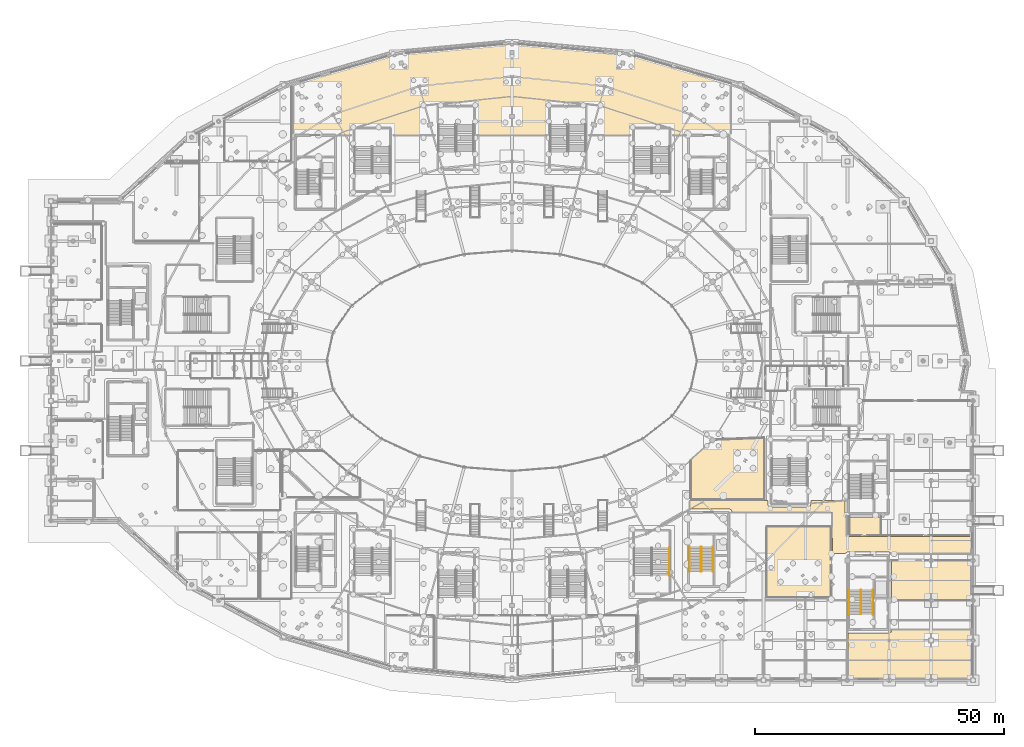
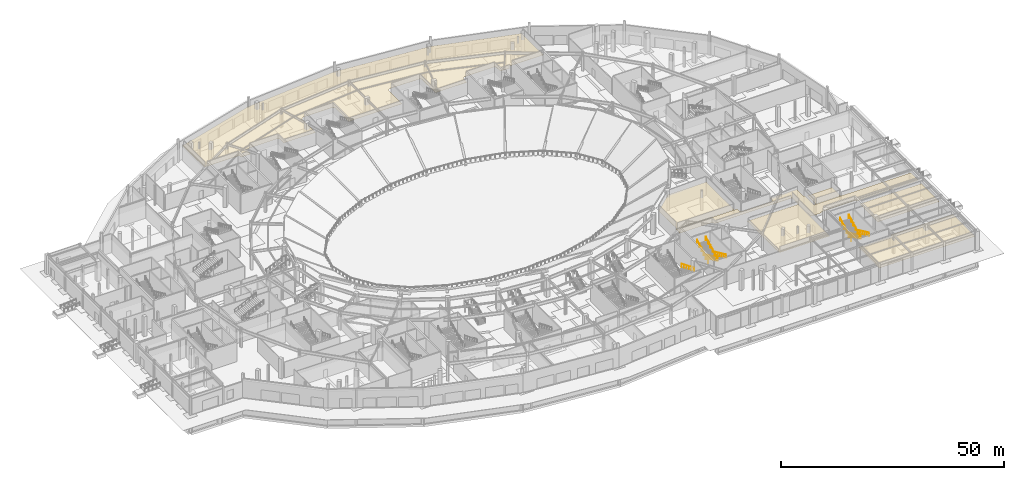
# One storey, part 84 of 93: 9 railings, 7 coverings.
"""IFC4 building model written with IfcOpenShell, lengths in metres."""

from ifc_helpers import new_model, si_unit, direction, frame, origin, origin_2d, place, context, subcontext, project, spatial, polyline, circle, outline, extrude, material, layer, layer_set, type_object, element, save


model = new_model("IFC4")

# Units and contexts
model_context = context("Model", 3, precision=1e-05, world=origin(), true_north=direction((0.0, 1.0)))
body_context = subcontext(model_context, "Body", "Model", "MODEL_VIEW")
ifc_project = project(units=[si_unit("LENGTHUNIT", "METRE"), si_unit("AREAUNIT", "SQUARE_METRE"), si_unit("VOLUMEUNIT", "CUBIC_METRE"), si_unit("PLANEANGLEUNIT", "RADIAN"), si_unit("MASSUNIT", "GRAM", prefix="KILO")], contexts=[model_context])

# Site, building, storey
site_placement = place(None, origin())
site = spatial("IfcSite", under=ifc_project, at=site_placement, CompositionType="ELEMENT")
building_placement = place(site_placement, origin())
building = spatial("IfcBuilding", under=site, at=building_placement, Name="Kalgoora Escarpment Arena", CompositionType="ELEMENT")
storey_placement = place(building_placement, origin())
storey = spatial("IfcBuildingStorey", under=building, at=storey_placement, Name="L00", CompositionType="ELEMENT", Elevation=0.0)

# Coverings
ifc_material_1 = material(Name="Perforated acoustic mineral-fibre ceiling tile")
ifc_layer = layer(ifc_material_1, 0.02490234375)
ifc_layer_set = layer_set([ifc_layer], Name="COV-CEIL-ACOUSTIC")
covering_type = type_object("IfcCoveringType", Name="COV-CEIL-ACOUSTIC", PredefinedType="CEILING", material=ifc_layer_set)
covering_1_placement = place(storey_placement, frame((0.0, 0.0, 3.47998046875)))
element("IfcCovering", 1, at=covering_1_placement, inside=storey, type_object=covering_type, Name="L00 Practice Court acoustic suspended ceiling", PredefinedType="CEILING", context=body_context, shape_type="SweptSolid", body=[
    extrude(outline(polyline([(128.16064453125, 44.204345703125), (132.692138671875, 48.216064453125), (132.966064453125, 48.63818359375), (143.018798828125, 48.63525390625), (143.035400390625, 36.18115234375), (128.18115234375, 36.164794921875), (128.16064453125, 44.204345703125)])), origin(), (0.0, 0.0, 1.0), 0.02490234375),
])
covering_2_placement = place(storey_placement, frame((0.0, 0.0, 3.47998046875)))
element("IfcCovering", 2, at=covering_2_placement, inside=storey, type_object=covering_type, Name="L00 Strength Conditioning Gym acoustic suspended ceiling", PredefinedType="CEILING", context=body_context, shape_type="SweptSolid", body=[
    extrude(outline(polyline([(166.389892578125, 28.99609375), (159.981201171875, 28.964599609375), (159.9599609375, 32.699951171875), (166.389892578125, 32.699951171875), (166.389892578125, 28.99609375)])), origin(), (0.0, 0.0, 1.0), 0.02490234375),
])
covering_3_placement = place(storey_placement, frame((0.0, 0.0, 3.47998046875)))
element("IfcCovering", 3, at=covering_3_placement, inside=storey, type_object=covering_type, Name="L00 Broadcast Compound OB Hall acoustic suspended ceiling", PredefinedType="CEILING", context=body_context, shape_type="SweptSolid", body=[
    extrude(outline(polyline([(184.40380859375, 24.039794921875), (184.4189453125, 15.964599609375), (168.5, 15.9599609375), (168.5, 24.0400390625), (184.40380859375, 24.039794921875)])), origin(), (0.0, 0.0, 1.0), 0.02490234375),
])
covering_4_placement = place(storey_placement, frame((0.0, 0.0, 3.47998046875)))
element("IfcCovering", 4, at=covering_4_placement, inside=storey, type_object=covering_type, Name="L00 Production Staging Workshop acoustic suspended ceiling", PredefinedType="CEILING", context=body_context, shape_type="SweptSolid", body=[
    extrude(outline(polyline([(143.36083984375, 30.807861328125), (156.42822265625, 30.828369140625), (156.42822265625, 16.57177734375), (143.37158203125, 16.57177734375), (143.36083984375, 30.807861328125)])), origin(), (0.0, 0.0, 1.0), 0.02490234375),
])
covering_5_placement = place(storey_placement, frame((0.0, 0.0, 3.47998046875)))
element("IfcCovering", 5, at=covering_5_placement, inside=storey, type_object=covering_type, Name="L00 North Protected Exit Passageway acoustic suspended ceiling", PredefinedType="CEILING", context=body_context, shape_type="SweptSolid", body=[
    extrude(outline(polyline([(107.89990234375, 115.199951171875), (107.753662109375, 115.5537109375), (99.800048828125, 115.699951171875), (99.300048828125, 115.199951171875), (99.300048828125, 109.159912109375), (85.5, 109.159912109375), (85.49755859375, 115.2490234375), (85.0, 115.699951171875), (77.39990234375, 115.699951171875), (76.89990234375, 115.199951171875), (76.89990234375, 109.159912109375), (68.699951171875, 109.159912109375), (68.6904296875, 110.8974609375), (68.199951171875, 111.300048828125), (60.454833984375, 111.278564453125), (60.109619140625, 110.8974609375), (60.10009765625, 109.159912109375), (57.699951171875, 109.159912109375), (57.61572265625, 109.677734375), (57.2490234375, 109.897705078125), (48.56005859375, 109.83837890625), (48.561279296875, 119.554443359375), (68.8330078125, 125.4287109375), (92.39990234375, 127.59912109375), (115.967041015625, 125.4287109375), (136.23876953125, 119.554443359375), (136.239990234375, 109.83837890625), (127.551025390625, 109.897705078125), (127.184326171875, 109.677734375), (127.10009765625, 109.159912109375), (124.699951171875, 109.159912109375), (124.6904296875, 110.8974609375), (124.34521484375, 111.278564453125), (116.60009765625, 111.300048828125), (116.109619140625, 110.8974609375), (116.10009765625, 109.159912109375), (107.89990234375, 109.159912109375), (107.89990234375, 115.199951171875)])), origin(), (0.0, 0.0, 1.0), 0.02490234375),
])
covering_6_placement = place(storey_placement, frame((0.0, 0.0, 3.47998046875)))
element("IfcCovering", 6, at=covering_6_placement, inside=storey, type_object=covering_type, Name="L00 South-East Protected Exit Passageway acoustic suspended ceiling", PredefinedType="CEILING", context=body_context, shape_type="SweptSolid", body=[
    extrude(outline(polyline([(184.5078125, 10.13916015625), (184.53466796875, 0.199951171875), (159.762939453125, 0.20458984375), (159.760009765625, 9.5), (168.049072265625, 9.50244140625), (168.415771484375, 9.72216796875), (168.5, 10.139892578125), (184.5078125, 10.13916015625)])), origin(), (0.0, 0.0, 1.0), 0.02490234375),
])
covering_7_placement = place(storey_placement, frame((0.0, 0.0, 3.47998046875)))
element("IfcCovering", 7, at=covering_7_placement, inside=storey, type_object=covering_type, Name="L00 East Protected Exit Passageway acoustic suspended ceiling", PredefinedType="CEILING", context=body_context, shape_type="SweptSolid", body=[
    extrude(outline(polyline([(184.539306640625, 25.39208984375), (168.47314453125, 25.360107421875), (168.0, 25.699951171875), (159.60009765625, 25.699951171875), (159.126708984375, 25.360107421875), (156.59228515625, 25.36083984375), (156.56005859375, 33.659912109375), (136.5, 33.659912109375), (136.415771484375, 34.077880859375), (136.049072265625, 34.297607421875), (127.9599609375, 34.300048828125), (127.960693359375, 36.0078125), (143.699951171875, 36.0400390625), (143.721435546875, 35.054931640625), (144.1025390625, 34.709716796875), (151.800048828125, 34.699951171875), (152.261962890625, 35.0087890625), (152.300048828125, 36.0400390625), (159.10009765625, 36.0400390625), (159.102294921875, 33.15087890625), (159.43994140625, 32.726806640625), (159.43994140625, 28.840087890625), (184.50390625, 28.83984375), (184.539306640625, 25.39208984375)])), origin(), (0.0, 0.0, 1.0), 0.02490234375),
])

# Railings
ifc_material_2 = material(Name="Brushed stainless steel 316 handrail", Category="steel")
railing_type = type_object("IfcRailingType", Name="RAL-HAND-920", PredefinedType="HANDRAIL", material=ifc_material_2)
for number, where, name in (
    (8, (132.699951171875, 26.7099609375, 0.37890625), "ST06 L00 pitched stair handrail F1L"),
    (9, (130.4150390625, 26.7099609375, 0.37890625), "ST06 L00 pitched stair handrail F1R"),
):
    element("IfcRailing", number, at=place(storey_placement, frame(where)), inside=storey, type_object=railing_type, Name=name, PredefinedType="HANDRAIL", context=body_context, shape_type="SweptSolid", body=[
        extrude(circle(Radius=0.02392578125, at=origin_2d()), frame((0.0, 0.0, 0.89599609375), z_axis=(0.0, -0.906909903537, 0.421324609852), x_axis=(1.0, 0.0, 0.0)), (0.0, 0.0, 1.0), 5.413818359375),
        extrude(circle(Radius=0.02099609375, at=origin_2d()), origin(), (0.0, 0.0, 1.0), 0.871826171875),
        extrude(circle(Radius=0.02099609375, at=origin_2d()), frame((0.0, -0.98193359375, 0.456298828125)), (0.0, 0.0, 1.0), 0.871826171875),
        extrude(circle(Radius=0.02099609375, at=origin_2d()), frame((0.0, -1.9638671875, 0.912353515625)), (0.0, 0.0, 1.0), 0.871826171875),
        extrude(circle(Radius=0.02099609375, at=origin_2d()), frame((0.0, -2.946044921875, 1.36865234375)), (0.0, 0.0, 1.0), 0.871826171875),
        extrude(circle(Radius=0.02099609375, at=origin_2d()), frame((0.0, -3.927978515625, 1.82470703125)), (0.0, 0.0, 1.0), 0.871826171875),
        extrude(circle(Radius=0.02099609375, at=origin_2d()), frame((0.0, -4.909912109375, 2.281005859375)), (0.0, 0.0, 1.0), 0.871826171875),
    ])
for number, where, name in (
    (10, (130.284912109375, 21.800048828125, 2.81884765625), "ST06 L00 pitched stair handrail F2L"),
    (11, (128.0, 21.800048828125, 2.81884765625), "ST06 L00 pitched stair handrail F2R"),
):
    element("IfcRailing", number, at=place(storey_placement, frame(where)), inside=storey, type_object=railing_type, Name=name, PredefinedType="HANDRAIL", context=body_context, shape_type="SweptSolid", body=[
        extrude(circle(Radius=0.02392578125, at=origin_2d()), frame((0.0, 0.0, 0.89599609375), z_axis=(0.0, 0.88809582064, 0.459658365921), x_axis=(-1.0, 0.0, 0.0)), (0.0, 0.0, 1.0), 5.528564453125),
        extrude(circle(Radius=0.02099609375, at=origin_2d()), origin(), (0.0, 0.0, 1.0), 0.871826171875),
        extrude(circle(Radius=0.02099609375, at=origin_2d()), frame((0.0, 0.98193359375, 0.50830078125)), (0.0, 0.0, 1.0), 0.871826171875),
        extrude(circle(Radius=0.02099609375, at=origin_2d()), frame((0.0, 1.9638671875, 1.0166015625)), (0.0, 0.0, 1.0), 0.871826171875),
        extrude(circle(Radius=0.02099609375, at=origin_2d()), frame((0.0, 2.946044921875, 1.524658203125)), (0.0, 0.0, 1.0), 0.871826171875),
        extrude(circle(Radius=0.02099609375, at=origin_2d()), frame((0.0, 3.927978515625, 2.032958984375)), (0.0, 0.0, 1.0), 0.871826171875),
        extrude(circle(Radius=0.02099609375, at=origin_2d()), frame((0.0, 4.909912109375, 2.541259765625)), (0.0, 0.0, 1.0), 0.871826171875),
    ])
for number, where, name in (
    (12, (164.699951171875, 18.110107421875, 0.37890625), "ST08 L00 pitched stair handrail F1L"),
    (13, (162.405029296875, 18.110107421875, 0.37890625), "ST08 L00 pitched stair handrail F1R"),
):
    element("IfcRailing", number, at=place(storey_placement, frame(where)), inside=storey, type_object=railing_type, Name=name, PredefinedType="HANDRAIL", context=body_context, shape_type="SweptSolid", body=[
        extrude(circle(Radius=0.02392578125, at=origin_2d()), frame((0.0, 0.0, 0.89599609375), z_axis=(0.0, -0.906917908097, 0.421307379443), x_axis=(1.0, 0.0, 0.0)), (0.0, 0.0, 1.0), 5.4140625),
        extrude(circle(Radius=0.02099609375, at=origin_2d()), origin(), (0.0, 0.0, 1.0), 0.871826171875),
        extrude(circle(Radius=0.02099609375, at=origin_2d()), frame((0.0, -0.98193359375, 0.456298828125)), (0.0, 0.0, 1.0), 0.871826171875),
        extrude(circle(Radius=0.02099609375, at=origin_2d()), frame((0.0, -1.964111328125, 0.912353515625)), (0.0, 0.0, 1.0), 0.871826171875),
        extrude(circle(Radius=0.02099609375, at=origin_2d()), frame((0.0, -2.946044921875, 1.36865234375)), (0.0, 0.0, 1.0), 0.871826171875),
        extrude(circle(Radius=0.02099609375, at=origin_2d()), frame((0.0, -3.92822265625, 1.82470703125)), (0.0, 0.0, 1.0), 0.871826171875),
        extrude(circle(Radius=0.02099609375, at=origin_2d()), frame((0.0, -4.91015625, 2.281005859375)), (0.0, 0.0, 1.0), 0.871826171875),
    ])
for number, where, name in (
    (14, (162.294921875, 13.199951171875, 2.81884765625), "ST08 L00 pitched stair handrail F2L"),
    (15, (160.0, 13.199951171875, 2.81884765625), "ST08 L00 pitched stair handrail F2R"),
):
    element("IfcRailing", number, at=place(storey_placement, frame(where)), inside=storey, type_object=railing_type, Name=name, PredefinedType="HANDRAIL", context=body_context, shape_type="SweptSolid", body=[
        extrude(circle(Radius=0.02392578125, at=origin_2d()), frame((0.0, 0.0, 0.89599609375), z_axis=(0.0, 0.88810515041, 0.459640339629), x_axis=(-1.0, 0.0, 0.0)), (0.0, 0.0, 1.0), 5.52880859375),
        extrude(circle(Radius=0.02099609375, at=origin_2d()), origin(), (0.0, 0.0, 1.0), 0.871826171875),
        extrude(circle(Radius=0.02099609375, at=origin_2d()), frame((0.0, 0.98193359375, 0.50830078125)), (0.0, 0.0, 1.0), 0.871826171875),
        extrude(circle(Radius=0.02099609375, at=origin_2d()), frame((0.0, 1.964111328125, 1.0166015625)), (0.0, 0.0, 1.0), 0.871826171875),
        extrude(circle(Radius=0.02099609375, at=origin_2d()), frame((0.0, 2.946044921875, 1.524658203125)), (0.0, 0.0, 1.0), 0.871826171875),
        extrude(circle(Radius=0.02099609375, at=origin_2d()), frame((0.0, 3.92822265625, 2.032958984375)), (0.0, 0.0, 1.0), 0.871826171875),
        extrude(circle(Radius=0.02099609375, at=origin_2d()), frame((0.0, 4.91015625, 2.541259765625)), (0.0, 0.0, 1.0), 0.871826171875),
    ])
railing_placement = place(storey_placement, frame((123.89990234375, 26.510009765625, 0.388916015625)))
element("IfcRailing", 16, at=railing_placement, inside=storey, type_object=railing_type, Name="ST16 L00 pitched stair handrail F1L", PredefinedType="HANDRAIL", context=body_context, shape_type="SweptSolid", body=[
    extrude(circle(Radius=0.02392578125, at=origin_2d()), frame((0.0, 0.0, 0.89599609375), z_axis=(0.0, -0.924430832969, 0.381349754236), x_axis=(1.0, 0.0, 0.0)), (0.0, 0.0, 1.0), 5.955078125),
    extrude(circle(Radius=0.02099609375, at=origin_2d()), origin(), (0.0, 0.0, 1.0), 0.871826171875),
    extrude(circle(Radius=0.02099609375, at=origin_2d()), frame((0.0, -1.10107421875, 0.4541015625)), (0.0, 0.0, 1.0), 0.871826171875),
    extrude(circle(Radius=0.02099609375, at=origin_2d()), frame((0.0, -2.2021484375, 0.908447265625)), (0.0, 0.0, 1.0), 0.871826171875),
    extrude(circle(Radius=0.02099609375, at=origin_2d()), frame((0.0, -3.302978515625, 1.362548828125)), (0.0, 0.0, 1.0), 0.871826171875),
    extrude(circle(Radius=0.02099609375, at=origin_2d()), frame((0.0, -4.404052734375, 1.81689453125)), (0.0, 0.0, 1.0), 0.871826171875),
    extrude(circle(Radius=0.02099609375, at=origin_2d()), frame((0.0, -5.505126953125, 2.27099609375)), (0.0, 0.0, 1.0), 0.871826171875),
])

save(model, "model.ifc")
